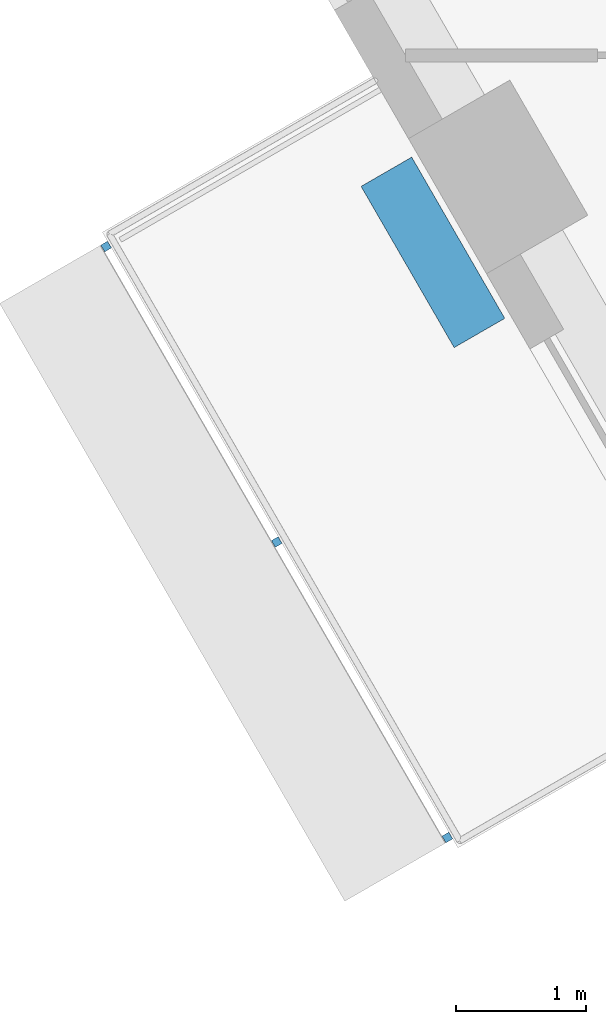
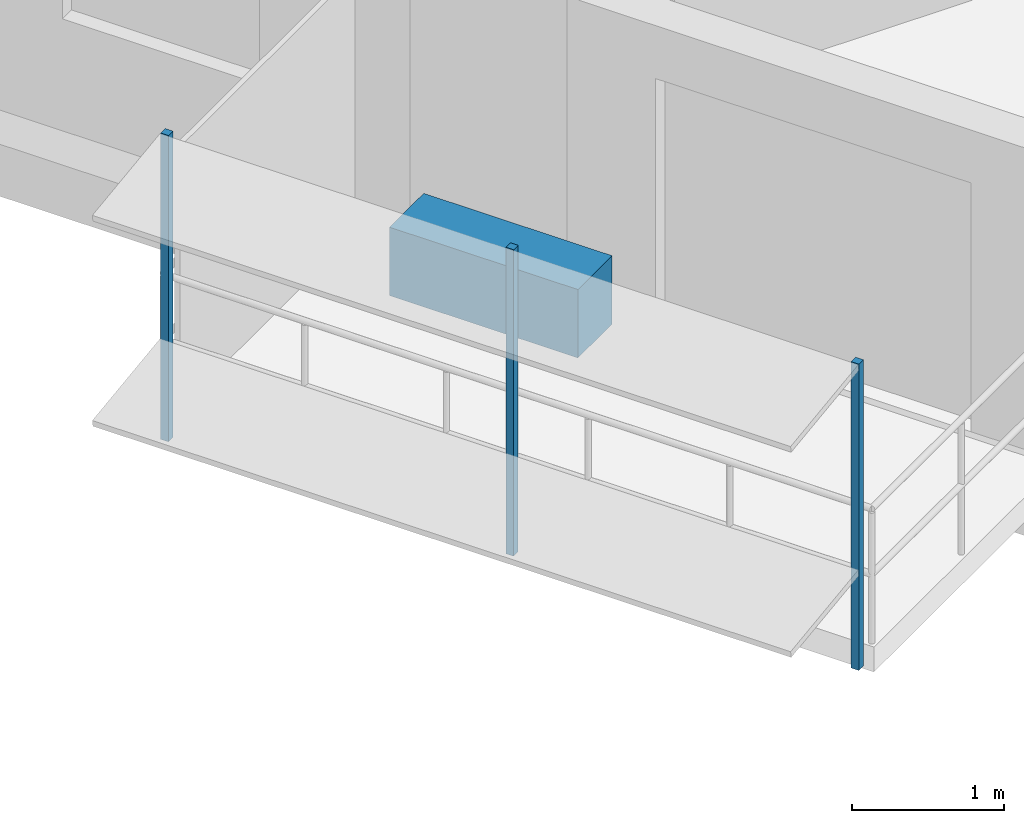
# One storey, part 11 of 18: 4 discrete accessories.
"""IFC4 building model written with IfcOpenShell, lengths in metres."""

from ifc_helpers import new_model, si_unit, direction, frame, origin, origin_2d, place, context, subcontext, project, spatial, rectangle, extrude, material, type_object, element, save


model = new_model("IFC4")

# Units and contexts
model_context = context("Model", 3, precision=1e-05, world=origin(), true_north=direction((0.0, 1.0)))
body_context = subcontext(model_context, "Body", "Model", "MODEL_VIEW")
ifc_project = project(units=[si_unit("LENGTHUNIT", "METRE"), si_unit("AREAUNIT", "SQUARE_METRE"), si_unit("VOLUMEUNIT", "CUBIC_METRE"), si_unit("PLANEANGLEUNIT", "RADIAN"), si_unit("MASSUNIT", "GRAM", prefix="KILO")], contexts=[model_context])

# Site, building, storey
site_placement = place(None, origin())
site = spatial("IfcSite", under=ifc_project, at=site_placement, CompositionType="ELEMENT")
building_placement = place(site_placement, origin())
building = spatial("IfcBuilding", under=site, at=building_placement, Name="Nakaniwa Court", CompositionType="ELEMENT")
storey_placement = place(building_placement, frame((0.0, 0.0, 180.0)))
storey = spatial("IfcBuildingStorey", under=building, at=storey_placement, Name="L46", CompositionType="ELEMENT", Elevation=180.0)

# Discrete accessories
ifc_material_1 = material(Name="Black powder-coated steel bracket S275", Category="steel")
discrete_accessory_type_1 = type_object("IfcDiscreteAccessoryType", Name="Black metal louvre bracket", PredefinedType="BRACKET", material=ifc_material_1)
for number, where, z_axis, x_axis, name in (
    (1, (57.84423828125, 68.214599609375, -0.22998046875), (0.0, 0.0, 1.0), (0.500016626402, -0.866015804314, 0.0), "L46 louvre bracket 01 1"),
    (2, (59.156982421875, 65.941162109375, -0.22998046875), (0.0, 0.0, 1.0), (0.500016626402, -0.866015804314, 0.0), "L46 louvre bracket 01 2"),
    (3, (60.4697265625, 63.66748046875, -0.22998046875), (0.0, 0.0, 1.0), (0.500016626402, -0.866015804314, 0.0), "L46 louvre bracket 01 3"),
):
    element("IfcDiscreteAccessory", number, at=place(storey_placement, frame(where, z_axis=z_axis, x_axis=x_axis)), inside=storey, type_object=discrete_accessory_type_1, Name=name, PredefinedType="BRACKET", context=body_context, shape_type="SweptSolid", body=[
        extrude(rectangle(XDim=0.06005859375, YDim=0.06005859375, at=origin_2d()), origin(), (0.0, 0.0, 1.0), 2.46337890625),
    ])
ifc_material_2 = material(Name="Precast concrete C40/50 planter with planted soil", Category="concrete")
discrete_accessory_type_2 = type_object("IfcDiscreteAccessoryType", Name="Planter box charcoal concrete", PredefinedType="USERDEFINED", material=ifc_material_2)
discrete_accessory_placement = place(storey_placement, frame((60.358642578125, 68.169677734375, -0.0498046875), z_axis=(0.0, 0.0, 1.0), x_axis=(0.500016626402, -0.866015804314, 0.0)))
element("IfcDiscreteAccessory", 4, at=discrete_accessory_placement, inside=storey, type_object=discrete_accessory_type_2, Name="L46 balcony PLANTER 01", ObjectType="PLANTER", PredefinedType="USERDEFINED", context=body_context, shape_type="SweptSolid", body=[
    extrude(rectangle(XDim=1.432373046875, YDim=0.449951171875, at=origin_2d()), origin(), (0.0, 0.0, 1.0), 0.550048828125),
])

save(model, "model.ifc")
